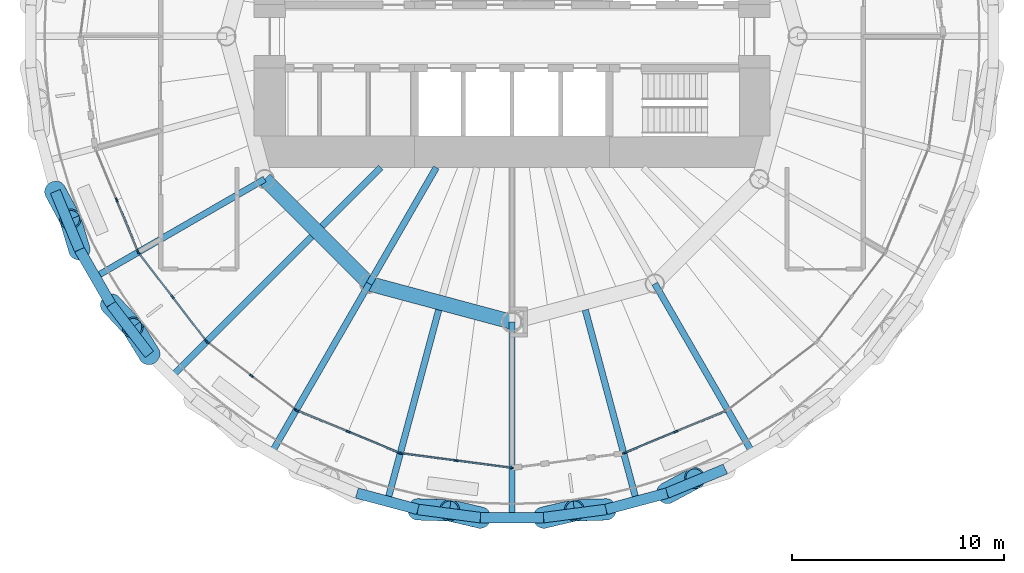
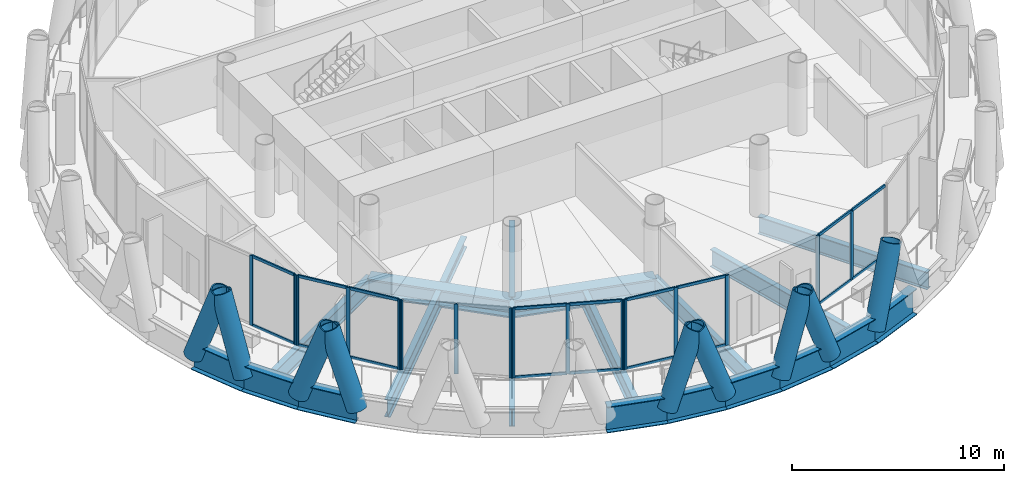
# One storey, part 2 of 14: 43 members, 20 beams, 6 elements without a shape of their own.
"""IFC4 building model written with IfcOpenShell, lengths in metres."""

from ifc_helpers import new_model, si_unit, direction, frame, origin, origin_2d, place, context, subcontext, project, spatial, rectangle, hollow_circle, i_section, extrude, material, material_profile, profile_set, type_object, element, aggregate, save


model = new_model("IFC4")

# Units and contexts
model_context = context("Model", 3, precision=1e-05, world=origin(), true_north=direction((0.0, 1.0)))
body_context = subcontext(model_context, "Body", "Model", "MODEL_VIEW")
ifc_project = project(units=[si_unit("LENGTHUNIT", "METRE"), si_unit("AREAUNIT", "SQUARE_METRE"), si_unit("VOLUMEUNIT", "CUBIC_METRE"), si_unit("PLANEANGLEUNIT", "RADIAN"), si_unit("MASSUNIT", "GRAM", prefix="KILO")], contexts=[model_context])

# Site, building, storey
site_placement = place(None, origin())
site = spatial("IfcSite", under=ifc_project, at=site_placement, CompositionType="ELEMENT")
building_placement = place(site_placement, origin())
building = spatial("IfcBuilding", under=site, at=building_placement, Name="Qaws Media Tower", CompositionType="ELEMENT")
storey_placement = place(building_placement, frame((0.0, 0.0, 215.0)))
storey = spatial("IfcBuildingStorey", under=building, at=storey_placement, Name="L49", CompositionType="ELEMENT", Elevation=215.0)

# Curtain wall, members
ifc_material_1 = material(Name="Aluminium and clear glass", Category="aluminium")
curtain_wall_type = type_object("IfcCurtainWallType", Name="Unitised curtain wall CW-C", PredefinedType="NOTDEFINED", material=ifc_material_1)
curtain_wall_1_placement = place(storey_placement, origin())
curtain_wall_1 = element("IfcCurtainWall", 1, at=curtain_wall_1_placement, inside=storey, type_object=curtain_wall_type, Name="CWC curtain wall L49-14", PredefinedType="NOTDEFINED")
ifc_material_2 = material(Name="Aluminium mullion", Category="aluminium")
ifc_material_profile_1 = material_profile(ifc_material_2, rectangle(XDim=0.080078125, YDim=0.199951171875, at=origin_2d()), Name="80x200")
ifc_profile_set_1 = profile_set([ifc_material_profile_1], Name="Aluminium mullion")
member_type_1 = type_object("IfcMemberType", Name="Curtain wall mullion 80x200", PredefinedType="MULLION", material=ifc_profile_set_1)
member_1_placement = place(storey_placement, frame((41.314208984375, 42.260009765625, 0.0), z_axis=(0.0, 0.0, 1.0), x_axis=(0.923879494026, 0.382683525276, 0.0)))
member_1 = element("IfcMember", 2, at=member_1_placement, type_object=member_type_1, Name="CWC mullion 2", PredefinedType="MULLION", context=body_context, shape_type="SweptSolid", body=[
    extrude(rectangle(XDim=0.080078125, YDim=0.199951171875, at=origin_2d()), origin(), (0.0, 0.0, 1.0), 4.0400390625),
])
member_2_placement = place(storey_placement, frame((42.31787109375, 39.8369140625, 0.0), z_axis=(0.0, 0.0, 1.0), x_axis=(0.923879494026, 0.382683525276, 0.0)))
member_2 = element("IfcMember", 3, at=member_2_placement, type_object=member_type_1, Name="CWC mullion 3", PredefinedType="MULLION", context=body_context, shape_type="SweptSolid", body=[
    extrude(rectangle(XDim=0.080078125, YDim=0.199951171875, at=origin_2d()), origin(), (0.0, 0.0, 1.0), 4.0400390625),
])

curtain_wall_2_placement = place(storey_placement, origin())
curtain_wall_2 = element("IfcCurtainWall", 4, at=curtain_wall_2_placement, inside=storey, type_object=curtain_wall_type, Name="CWC curtain wall L49-15", PredefinedType="NOTDEFINED")
member_3_placement = place(storey_placement, frame((42.357421875, 39.768310546875, 0.0), z_axis=(0.0, 0.0, 1.0), x_axis=(0.793353307917, 0.608761471199, 0.0)))
member_3 = element("IfcMember", 5, at=member_3_placement, type_object=member_type_1, Name="CWC mullion 1", PredefinedType="MULLION", context=body_context, shape_type="SweptSolid", body=[
    extrude(rectangle(XDim=0.080078125, YDim=0.199951171875, at=origin_2d()), origin(), (0.0, 0.0, 1.0), 4.0400390625),
])
member_4_placement = place(storey_placement, frame((43.9541015625, 37.6875, 0.0), z_axis=(0.0, 0.0, 1.0), x_axis=(0.793353307917, 0.608761471199, 0.0)))
member_4 = element("IfcMember", 6, at=member_4_placement, type_object=member_type_1, Name="CWC mullion 2", PredefinedType="MULLION", context=body_context, shape_type="SweptSolid", body=[
    extrude(rectangle(XDim=0.080078125, YDim=0.199951171875, at=origin_2d()), origin(), (0.0, 0.0, 1.0), 4.0400390625),
])
member_5_placement = place(storey_placement, frame((45.55078125, 35.606689453125, 0.0), z_axis=(0.0, 0.0, 1.0), x_axis=(0.793353307917, 0.608761471199, 0.0)))
member_5 = element("IfcMember", 7, at=member_5_placement, type_object=member_type_1, Name="CWC mullion 3", PredefinedType="MULLION", context=body_context, shape_type="SweptSolid", body=[
    extrude(rectangle(XDim=0.080078125, YDim=0.199951171875, at=origin_2d()), origin(), (0.0, 0.0, 1.0), 4.0400390625),
])

curtain_wall_3_placement = place(storey_placement, origin())
curtain_wall_3 = element("IfcCurtainWall", 8, at=curtain_wall_3_placement, inside=storey, type_object=curtain_wall_type, Name="CWC curtain wall L49-16", PredefinedType="NOTDEFINED")
member_6_placement = place(storey_placement, frame((45.606689453125, 35.55078125, 0.0), z_axis=(0.0, 0.0, 1.0), x_axis=(0.608761471199, 0.793353307917, 0.0)))
member_6 = element("IfcMember", 9, at=member_6_placement, type_object=member_type_1, Name="CWC mullion 1", PredefinedType="MULLION", context=body_context, shape_type="SweptSolid", body=[
    extrude(rectangle(XDim=0.080078125, YDim=0.199951171875, at=origin_2d()), origin(), (0.0, 0.0, 1.0), 4.0400390625),
])
member_7_placement = place(storey_placement, frame((47.6875, 33.9541015625, 0.0), z_axis=(0.0, 0.0, 1.0), x_axis=(0.608761471199, 0.793353307917, 0.0)))
member_7 = element("IfcMember", 10, at=member_7_placement, type_object=member_type_1, Name="CWC mullion 2", PredefinedType="MULLION", context=body_context, shape_type="SweptSolid", body=[
    extrude(rectangle(XDim=0.080078125, YDim=0.199951171875, at=origin_2d()), origin(), (0.0, 0.0, 1.0), 4.0400390625),
])
member_8_placement = place(storey_placement, frame((49.768310546875, 32.357421875, 0.0), z_axis=(0.0, 0.0, 1.0), x_axis=(0.608761471199, 0.793353307917, 0.0)))
member_8 = element("IfcMember", 11, at=member_8_placement, type_object=member_type_1, Name="CWC mullion 3", PredefinedType="MULLION", context=body_context, shape_type="SweptSolid", body=[
    extrude(rectangle(XDim=0.080078125, YDim=0.199951171875, at=origin_2d()), origin(), (0.0, 0.0, 1.0), 4.0400390625),
])
aggregate(curtain_wall_3, [member_6, member_7, member_8])

curtain_wall_4_placement = place(storey_placement, origin())
curtain_wall_4 = element("IfcCurtainWall", 12, at=curtain_wall_4_placement, inside=storey, type_object=curtain_wall_type, Name="CWC curtain wall L49-17", PredefinedType="NOTDEFINED")
member_9_placement = place(storey_placement, frame((49.8369140625, 32.31787109375, 0.0), z_axis=(0.0, 0.0, 1.0), x_axis=(0.382683525276, 0.923879494026, 0.0)))
member_9 = element("IfcMember", 13, at=member_9_placement, type_object=member_type_1, Name="CWC mullion 1", PredefinedType="MULLION", context=body_context, shape_type="SweptSolid", body=[
    extrude(rectangle(XDim=0.080078125, YDim=0.199951171875, at=origin_2d()), origin(), (0.0, 0.0, 1.0), 4.0400390625),
])
member_10_placement = place(storey_placement, frame((52.260009765625, 31.314208984375, 0.0), z_axis=(0.0, 0.0, 1.0), x_axis=(0.382683525276, 0.923879494026, 0.0)))
member_10 = element("IfcMember", 14, at=member_10_placement, type_object=member_type_1, Name="CWC mullion 2", PredefinedType="MULLION", context=body_context, shape_type="SweptSolid", body=[
    extrude(rectangle(XDim=0.080078125, YDim=0.199951171875, at=origin_2d()), origin(), (0.0, 0.0, 1.0), 4.0400390625),
])
member_11_placement = place(storey_placement, frame((54.68310546875, 30.310302734375, 0.0), z_axis=(0.0, 0.0, 1.0), x_axis=(0.382683525276, 0.923879494026, 0.0)))
member_11 = element("IfcMember", 15, at=member_11_placement, type_object=member_type_1, Name="CWC mullion 3", PredefinedType="MULLION", context=body_context, shape_type="SweptSolid", body=[
    extrude(rectangle(XDim=0.080078125, YDim=0.199951171875, at=origin_2d()), origin(), (0.0, 0.0, 1.0), 4.0400390625),
])

curtain_wall_5_placement = place(storey_placement, origin())
curtain_wall_5 = element("IfcCurtainWall", 16, at=curtain_wall_5_placement, inside=storey, type_object=curtain_wall_type, Name="CWC curtain wall L49-18", PredefinedType="NOTDEFINED")
member_12_placement = place(storey_placement, frame((54.759765625, 30.289794921875, 0.0), z_axis=(0.0, 0.0, 1.0), x_axis=(0.13052615403, 0.991444866402, 0.0)))
member_12 = element("IfcMember", 17, at=member_12_placement, type_object=member_type_1, Name="CWC mullion 1", PredefinedType="MULLION", context=body_context, shape_type="SweptSolid", body=[
    extrude(rectangle(XDim=0.080078125, YDim=0.199951171875, at=origin_2d()), origin(), (0.0, 0.0, 1.0), 4.0400390625),
])
member_13_placement = place(storey_placement, frame((57.360107421875, 29.947509765625, 0.0), z_axis=(0.0, 0.0, 1.0), x_axis=(0.13052615403, 0.991444866402, 0.0)))
member_13 = element("IfcMember", 18, at=member_13_placement, type_object=member_type_1, Name="CWC mullion 2", PredefinedType="MULLION", context=body_context, shape_type="SweptSolid", body=[
    extrude(rectangle(XDim=0.080078125, YDim=0.199951171875, at=origin_2d()), origin(), (0.0, 0.0, 1.0), 4.0400390625),
])
member_14_placement = place(storey_placement, frame((59.96044921875, 29.605224609375, 0.0), z_axis=(0.0, 0.0, 1.0), x_axis=(0.13052615403, 0.991444866402, 0.0)))
member_14 = element("IfcMember", 19, at=member_14_placement, type_object=member_type_1, Name="CWC mullion 3", PredefinedType="MULLION", context=body_context, shape_type="SweptSolid", body=[
    extrude(rectangle(XDim=0.080078125, YDim=0.199951171875, at=origin_2d()), origin(), (0.0, 0.0, 1.0), 4.0400390625),
])

curtain_wall_6_placement = place(storey_placement, origin())
curtain_wall_6 = element("IfcCurtainWall", 20, at=curtain_wall_6_placement, inside=storey, type_object=curtain_wall_type, Name="CWC curtain wall L49-20", PredefinedType="NOTDEFINED")
member_15_placement = place(storey_placement, frame((65.31689453125, 30.310302734375, 0.0), z_axis=(0.0, 0.0, 1.0), x_axis=(-0.382683525276, 0.923879494026, 0.0)))
member_15 = element("IfcMember", 21, at=member_15_placement, type_object=member_type_1, Name="CWC mullion 1", PredefinedType="MULLION", context=body_context, shape_type="SweptSolid", body=[
    extrude(rectangle(XDim=0.080078125, YDim=0.199951171875, at=origin_2d()), origin(), (0.0, 0.0, 1.0), 4.0400390625),
])
member_16_placement = place(storey_placement, frame((67.739990234375, 31.314208984375, 0.0), z_axis=(0.0, 0.0, 1.0), x_axis=(-0.382683525276, 0.923879494026, 0.0)))
member_16 = element("IfcMember", 22, at=member_16_placement, type_object=member_type_1, Name="CWC mullion 2", PredefinedType="MULLION", context=body_context, shape_type="SweptSolid", body=[
    extrude(rectangle(XDim=0.080078125, YDim=0.199951171875, at=origin_2d()), origin(), (0.0, 0.0, 1.0), 4.0400390625),
])

# Member
ifc_material_3 = material(Name="Aluminium transom", Category="aluminium")
ifc_material_profile_2 = material_profile(ifc_material_3, rectangle(XDim=0.080078125, YDim=0.159912109375, at=origin_2d()), Name="80x160")
ifc_profile_set_2 = profile_set([ifc_material_profile_2], Name="Aluminium transom")
member_type_2 = type_object("IfcMemberType", Name="Curtain wall transom 80x160", PredefinedType="USERDEFINED", material=ifc_profile_set_2)
member_17_placement = place(storey_placement, frame((41.329345703125, 42.22314453125, 0.0400390625), z_axis=(0.382719254697, -0.923864693602, 0.0), x_axis=(0.923864693602, 0.382719254697, 0.0)))
member_17 = element("IfcMember", 23, at=member_17_placement, type_object=member_type_2, Name="CWC transom 2.1", ObjectType="TRANSOM", PredefinedType="USERDEFINED", context=body_context, shape_type="SweptSolid", body=[
    extrude(rectangle(XDim=0.080078125, YDim=0.159912109375, at=origin_2d()), origin(), (0.0, 0.0, 1.0), 2.542724609375),
])

member_18_placement = place(storey_placement, frame((41.329345703125, 42.22314453125, 4.0), z_axis=(0.382719254697, -0.923864693602, 0.0), x_axis=(0.923864693602, 0.382719254697, 0.0)))
member_18 = element("IfcMember", 24, at=member_18_placement, type_object=member_type_2, Name="CWC transom 2.2", ObjectType="TRANSOM", PredefinedType="USERDEFINED", context=body_context, shape_type="SweptSolid", body=[
    extrude(rectangle(XDim=0.080078125, YDim=0.159912109375, at=origin_2d()), origin(), (0.0, 0.0, 1.0), 2.542724609375),
])

aggregate(curtain_wall_1, [member_1, member_2, member_17, member_18])

member_19_placement = place(storey_placement, frame((42.3818359375, 39.736572265625, 0.0400390625), z_axis=(0.608735871547, -0.793372950567, 0.0), x_axis=(0.793372950567, 0.608735871547, 0.0)))
member_19 = element("IfcMember", 25, at=member_19_placement, type_object=member_type_2, Name="CWC transom 1.1", ObjectType="TRANSOM", PredefinedType="USERDEFINED", context=body_context, shape_type="SweptSolid", body=[
    extrude(rectangle(XDim=0.080078125, YDim=0.159912109375, at=origin_2d()), origin(), (0.0, 0.0, 1.0), 2.542724609375),
])

member_20_placement = place(storey_placement, frame((42.3818359375, 39.736572265625, 4.0), z_axis=(0.608735871547, -0.793372950567, 0.0), x_axis=(0.793372950567, 0.608735871547, 0.0)))
member_20 = element("IfcMember", 26, at=member_20_placement, type_object=member_type_2, Name="CWC transom 1.2", ObjectType="TRANSOM", PredefinedType="USERDEFINED", context=body_context, shape_type="SweptSolid", body=[
    extrude(rectangle(XDim=0.080078125, YDim=0.159912109375, at=origin_2d()), origin(), (0.0, 0.0, 1.0), 2.542724609375),
])

member_21_placement = place(storey_placement, frame((43.978515625, 37.65576171875, 0.0400390625), z_axis=(0.608735871547, -0.793372950567, 0.0), x_axis=(0.793372950567, 0.608735871547, 0.0)))
member_21 = element("IfcMember", 27, at=member_21_placement, type_object=member_type_2, Name="CWC transom 2.1", ObjectType="TRANSOM", PredefinedType="USERDEFINED", context=body_context, shape_type="SweptSolid", body=[
    extrude(rectangle(XDim=0.080078125, YDim=0.159912109375, at=origin_2d()), origin(), (0.0, 0.0, 1.0), 2.542724609375),
])

member_22_placement = place(storey_placement, frame((43.978515625, 37.65576171875, 4.0), z_axis=(0.608735871547, -0.793372950567, 0.0), x_axis=(0.793372950567, 0.608735871547, 0.0)))
member_22 = element("IfcMember", 28, at=member_22_placement, type_object=member_type_2, Name="CWC transom 2.2", ObjectType="TRANSOM", PredefinedType="USERDEFINED", context=body_context, shape_type="SweptSolid", body=[
    extrude(rectangle(XDim=0.080078125, YDim=0.159912109375, at=origin_2d()), origin(), (0.0, 0.0, 1.0), 2.542724609375),
])

aggregate(curtain_wall_2, [member_3, member_4, member_5, member_19, member_20, member_21, member_22])

member_23_placement = place(storey_placement, frame((49.8740234375, 32.302490234375, 0.0400390625), z_axis=(0.923864693602, -0.382719254697, 0.0), x_axis=(0.382719254697, 0.923864693602, 0.0)))
member_23 = element("IfcMember", 29, at=member_23_placement, type_object=member_type_2, Name="CWC transom 1.1", ObjectType="TRANSOM", PredefinedType="USERDEFINED", context=body_context, shape_type="SweptSolid", body=[
    extrude(rectangle(XDim=0.080078125, YDim=0.159912109375, at=origin_2d()), origin(), (0.0, 0.0, 1.0), 2.542724609375),
])

member_24_placement = place(storey_placement, frame((49.8740234375, 32.302490234375, 4.0), z_axis=(0.923864693602, -0.382719254697, 0.0), x_axis=(0.382719254697, 0.923864693602, 0.0)))
member_24 = element("IfcMember", 30, at=member_24_placement, type_object=member_type_2, Name="CWC transom 1.2", ObjectType="TRANSOM", PredefinedType="USERDEFINED", context=body_context, shape_type="SweptSolid", body=[
    extrude(rectangle(XDim=0.080078125, YDim=0.159912109375, at=origin_2d()), origin(), (0.0, 0.0, 1.0), 2.542724609375),
])

member_25_placement = place(storey_placement, frame((52.297119140625, 31.298828125, 0.0400390625), z_axis=(0.923864693602, -0.382719254697, 0.0), x_axis=(0.382719254697, 0.923864693602, 0.0)))
member_25 = element("IfcMember", 31, at=member_25_placement, type_object=member_type_2, Name="CWC transom 2.1", ObjectType="TRANSOM", PredefinedType="USERDEFINED", context=body_context, shape_type="SweptSolid", body=[
    extrude(rectangle(XDim=0.080078125, YDim=0.159912109375, at=origin_2d()), origin(), (0.0, 0.0, 1.0), 2.542724609375),
])

member_26_placement = place(storey_placement, frame((52.297119140625, 31.298828125, 4.0), z_axis=(0.923864693602, -0.382719254697, 0.0), x_axis=(0.382719254697, 0.923864693602, 0.0)))
member_26 = element("IfcMember", 32, at=member_26_placement, type_object=member_type_2, Name="CWC transom 2.2", ObjectType="TRANSOM", PredefinedType="USERDEFINED", context=body_context, shape_type="SweptSolid", body=[
    extrude(rectangle(XDim=0.080078125, YDim=0.159912109375, at=origin_2d()), origin(), (0.0, 0.0, 1.0), 2.542724609375),
])

aggregate(curtain_wall_4, [member_9, member_10, member_11, member_23, member_24, member_25, member_26])

member_27_placement = place(storey_placement, frame((54.79931640625, 30.28466796875, 0.0400390625), z_axis=(0.991450373449, -0.130484317017, 0.0), x_axis=(0.130484317017, 0.991450373449, 0.0)))
member_27 = element("IfcMember", 33, at=member_27_placement, type_object=member_type_2, Name="CWC transom 1.1", ObjectType="TRANSOM", PredefinedType="USERDEFINED", context=body_context, shape_type="SweptSolid", body=[
    extrude(rectangle(XDim=0.080078125, YDim=0.159912109375, at=origin_2d()), origin(), (0.0, 0.0, 1.0), 2.542724609375),
])

member_28_placement = place(storey_placement, frame((54.79931640625, 30.28466796875, 4.0), z_axis=(0.991450373449, -0.130484317017, 0.0), x_axis=(0.130484317017, 0.991450373449, 0.0)))
member_28 = element("IfcMember", 34, at=member_28_placement, type_object=member_type_2, Name="CWC transom 1.2", ObjectType="TRANSOM", PredefinedType="USERDEFINED", context=body_context, shape_type="SweptSolid", body=[
    extrude(rectangle(XDim=0.080078125, YDim=0.159912109375, at=origin_2d()), origin(), (0.0, 0.0, 1.0), 2.542724609375),
])

member_29_placement = place(storey_placement, frame((57.399658203125, 29.9423828125, 0.0400390625), z_axis=(0.991437947781, -0.130578695427, 0.0), x_axis=(0.130578695427, 0.991437947781, 0.0)))
member_29 = element("IfcMember", 35, at=member_29_placement, type_object=member_type_2, Name="CWC transom 2.1", ObjectType="TRANSOM", PredefinedType="USERDEFINED", context=body_context, shape_type="SweptSolid", body=[
    extrude(rectangle(XDim=0.080078125, YDim=0.159912109375, at=origin_2d()), origin(), (0.0, 0.0, 1.0), 2.542724609375),
])

member_30_placement = place(storey_placement, frame((57.399658203125, 29.9423828125, 4.0), z_axis=(0.991437947781, -0.130578695427, 0.0), x_axis=(0.130578695427, 0.991437947781, 0.0)))
member_30 = element("IfcMember", 36, at=member_30_placement, type_object=member_type_2, Name="CWC transom 2.2", ObjectType="TRANSOM", PredefinedType="USERDEFINED", context=body_context, shape_type="SweptSolid", body=[
    extrude(rectangle(XDim=0.080078125, YDim=0.159912109375, at=origin_2d()), origin(), (0.0, 0.0, 1.0), 2.542724609375),
])

aggregate(curtain_wall_5, [member_12, member_13, member_14, member_27, member_28, member_29, member_30])

member_31_placement = place(storey_placement, frame((65.353759765625, 30.32568359375, 0.0400390625), z_axis=(0.923864693602, 0.382719254697, 0.0), x_axis=(-0.382719254697, 0.923864693602, 0.0)))
member_31 = element("IfcMember", 37, at=member_31_placement, type_object=member_type_2, Name="CWC transom 1.1", ObjectType="TRANSOM", PredefinedType="USERDEFINED", context=body_context, shape_type="SweptSolid", body=[
    extrude(rectangle(XDim=0.080078125, YDim=0.159912109375, at=origin_2d()), origin(), (0.0, 0.0, 1.0), 2.542724609375),
])

member_32_placement = place(storey_placement, frame((65.353759765625, 30.32568359375, 4.0), z_axis=(0.923864693602, 0.382719254697, 0.0), x_axis=(-0.382719254697, 0.923864693602, 0.0)))
member_32 = element("IfcMember", 38, at=member_32_placement, type_object=member_type_2, Name="CWC transom 1.2", ObjectType="TRANSOM", PredefinedType="USERDEFINED", context=body_context, shape_type="SweptSolid", body=[
    extrude(rectangle(XDim=0.080078125, YDim=0.159912109375, at=origin_2d()), origin(), (0.0, 0.0, 1.0), 2.542724609375),
])

member_33_placement = place(storey_placement, frame((67.77685546875, 31.329345703125, 0.0400390625), z_axis=(0.923864693602, 0.382719254697, 0.0), x_axis=(-0.382719254697, 0.923864693602, 0.0)))
member_33 = element("IfcMember", 39, at=member_33_placement, type_object=member_type_2, Name="CWC transom 2.1", ObjectType="TRANSOM", PredefinedType="USERDEFINED", context=body_context, shape_type="SweptSolid", body=[
    extrude(rectangle(XDim=0.080078125, YDim=0.159912109375, at=origin_2d()), origin(), (0.0, 0.0, 1.0), 2.542724609375),
])

member_34_placement = place(storey_placement, frame((67.77685546875, 31.329345703125, 4.0), z_axis=(0.923864693602, 0.382719254697, 0.0), x_axis=(-0.382719254697, 0.923864693602, 0.0)))
member_34 = element("IfcMember", 40, at=member_34_placement, type_object=member_type_2, Name="CWC transom 2.2", ObjectType="TRANSOM", PredefinedType="USERDEFINED", context=body_context, shape_type="SweptSolid", body=[
    extrude(rectangle(XDim=0.080078125, YDim=0.159912109375, at=origin_2d()), origin(), (0.0, 0.0, 1.0), 2.542724609375),
])

aggregate(curtain_wall_6, [member_15, member_16, member_31, member_32, member_33, member_34])

# Members
ifc_material_4 = material(Name="Steel S460", Category="steel")
ifc_material_profile_3 = material_profile(ifc_material_4, hollow_circle(Radius=0.508056640625, WallThickness=0.070068359375, at=origin_2d()), Name="CHS 1016x70")
ifc_profile_set_3 = profile_set([ifc_material_profile_3], Name="Steel S460")
member_type_3 = type_object("IfcMemberType", Name="Diagrid member CHS 1016x70", PredefinedType="USERDEFINED", material=ifc_profile_set_3)
for number, where, z_axis, x_axis, name in (
    (41, (38.409912109375, 42.671142578125, -0.909912109375), (0.159314917038, -0.295964412888, 0.941819421924), (0.880533853634, 0.473983261945, 0.0), "DG3 diagrid L49 A14"),
    (42, (41.04248046875, 37.3330078125, -0.909912109375), (0.230485450042, -0.244664958727, 0.941815011183), (0.727884328257, 0.685699937785, 0.0), "DG3 diagrid L49 A15"),
    (43, (39.55126953125, 39.915771484375, -0.909912109375), (-0.096629630188, 0.321916275076, 0.941824095259), (-0.957781442004, -0.287497320601, 0.0), "DG3 diagrid L49 B15"),
    (44, (42.858154296875, 34.966796875, -0.909912109375), (-0.176669755736, 0.285945501769, 0.941818967438), (-0.850723025077, -0.525614245055, 0.0), "DG3 diagrid L49 B16"),
):
    element("IfcMember", number, at=place(storey_placement, frame(where, z_axis=z_axis, x_axis=x_axis)), inside=storey, type_object=member_type_3, Name=name, ObjectType="DIAGRID", PredefinedType="USERDEFINED", context=body_context, shape_type="SweptSolid", body=[
        extrude(hollow_circle(Radius=0.508056640625, WallThickness=0.070068359375, at=origin_2d()), origin(), (0.0, 0.0, 1.0), 4.45947265625),
    ])
member_35_placement = place(storey_placement, frame((55.552001953125, 27.63818359375, -0.909912109375), z_axis=(0.335934332226, -0.010073650119, 0.941831538018), x_axis=(0.02997348887, 0.999550694045, 0.0)))
element("IfcMember", 45, at=member_35_placement, inside=storey, type_object=member_type_3, Name="DG3 diagrid L49 A18", ObjectType="DIAGRID", PredefinedType="USERDEFINED", context=body_context, shape_type="SweptSolid", body=[
    extrude(hollow_circle(Radius=0.508056640625, WallThickness=0.070068359375, at=origin_2d()), origin(), (0.0, 0.0, 1.0), 4.459228515625),
])
for number, where, z_axis, x_axis, name in (
    (46, (61.4912109375, 27.248779296875, -0.909912109375), (0.327116361591, 0.077248734093, 0.941821383841), (-0.229829111483, 0.973231000079, 0.0), "DG3 diagrid L49 A19"),
    (47, (58.5087890625, 27.248779296875, -0.909912109375), (-0.327116361591, 0.077248734093, 0.941821383841), (-0.229829111483, -0.973231000079, 0.0), "DG3 diagrid L49 B19"),
    (48, (67.328857421875, 28.409912109375, -0.909912109375), (0.295964412888, 0.159314917038, 0.941819421924), (-0.473983261945, 0.880533853634, 0.0), "DG3 diagrid L49 A20"),
):
    element("IfcMember", number, at=place(storey_placement, frame(where, z_axis=z_axis, x_axis=x_axis)), inside=storey, type_object=member_type_3, Name=name, ObjectType="DIAGRID", PredefinedType="USERDEFINED", context=body_context, shape_type="SweptSolid", body=[
        extrude(hollow_circle(Radius=0.508056640625, WallThickness=0.070068359375, at=origin_2d()), origin(), (0.0, 0.0, 1.0), 4.45947265625),
    ])
member_36_placement = place(storey_placement, frame((64.447998046875, 27.63818359375, -0.909912109375), z_axis=(-0.335934332226, -0.010073650119, 0.941831538018), x_axis=(0.02997348887, -0.999550694045, 0.0)))
element("IfcMember", 49, at=member_36_placement, inside=storey, type_object=member_type_3, Name="DG3 diagrid L49 B20", ObjectType="DIAGRID", PredefinedType="USERDEFINED", context=body_context, shape_type="SweptSolid", body=[
    extrude(hollow_circle(Radius=0.508056640625, WallThickness=0.070068359375, at=origin_2d()), origin(), (0.0, 0.0, 1.0), 4.459228515625),
])

# Beams
ifc_material_5 = material(Name="Steel S460", Category="steel")
ifc_material_profile_4 = material_profile(ifc_material_5, i_section(OverallWidth=0.5, OverallDepth=1.5, WebThickness=0.02001953125, FlangeThickness=0.0400390625, at=origin_2d()), Name="PG 1500x500")
ifc_profile_set_4 = profile_set([ifc_material_profile_4], Name="Steel S460")
beam_type_1 = type_object("IfcBeamType", Name="Edge ring beam PG 1500x500", PredefinedType="BEAM", material=ifc_profile_set_4)
for number, where, z_axis, x_axis, name in (
    (50, (38.409912109375, 42.671142578125, -0.909912109375), (0.382696410016, -0.923874156886, 0.0), (0.923874156886, 0.382696410016, 0.0), "RB4 edge ring beam L49-27"),
    (51, (39.55126953125, 39.915771484375, -0.909912109375), (0.500012985438, -0.866017906508, 0.0), (0.866017906508, 0.500012985438, 0.0), "RB4 edge ring beam L49-28"),
):
    element("IfcBeam", number, at=place(storey_placement, frame(where, z_axis=z_axis, x_axis=x_axis)), inside=storey, type_object=beam_type_1, Name=name, PredefinedType="BEAM", context=body_context, shape_type="SweptSolid", body=[
        extrude(i_section(OverallWidth=0.5, OverallDepth=1.5, WebThickness=0.02001953125, FlangeThickness=0.0400390625, at=origin_2d()), origin(), (0.0, 0.0, 1.0), 2.982421875),
    ])
beam_1_placement = place(storey_placement, frame((41.04248046875, 37.3330078125, -0.909912109375), z_axis=(0.608764872287, -0.793350698159, 0.0), x_axis=(0.793350698159, 0.608764872287, 0.0)))
element("IfcBeam", 52, at=beam_1_placement, inside=storey, type_object=beam_type_1, Name="RB4 edge ring beam L49-29", PredefinedType="BEAM", context=body_context, shape_type="SweptSolid", body=[
    extrude(i_section(OverallWidth=0.5, OverallDepth=1.5, WebThickness=0.02001953125, FlangeThickness=0.0400390625, at=origin_2d()), origin(), (0.0, 0.0, 1.0), 2.982666015625),
])
for number, where, z_axis, x_axis, name in (
    (53, (52.671142578125, 28.409912109375, -0.909912109375), (0.965942205889, -0.258757907866, 0.0), (0.258757907866, 0.965942205889, 0.0), "RB4 edge ring beam L49-34"),
    (54, (55.552001953125, 27.63818359375, -0.909912109375), (0.991438963829, -0.130570980704, 0.0), (0.130570980704, 0.991438963829, 0.0), "RB4 edge ring beam L49-35"),
    (55, (58.5087890625, 27.248779296875, -0.909912109375), (1.0, 0.0, 0.0), (0.0, 1.0, 0.0), "RB4 edge ring beam L49-36"),
    (56, (61.4912109375, 27.248779296875, -0.909912109375), (0.991438963829, 0.130570980704, 0.0), (-0.130570980704, 0.991438963829, 0.0), "RB4 edge ring beam L49-37"),
    (57, (64.447998046875, 27.63818359375, -0.909912109375), (0.965942205889, 0.258757907866, 0.0), (-0.258757907866, 0.965942205889, 0.0), "RB4 edge ring beam L49-38"),
    (58, (67.328857421875, 28.409912109375, -0.909912109375), (0.923874156886, 0.382696410016, 0.0), (-0.382696410016, 0.923874156886, 0.0), "RB4 edge ring beam L49-39"),
):
    element("IfcBeam", number, at=place(storey_placement, frame(where, z_axis=z_axis, x_axis=x_axis)), inside=storey, type_object=beam_type_1, Name=name, PredefinedType="BEAM", context=body_context, shape_type="SweptSolid", body=[
        extrude(i_section(OverallWidth=0.5, OverallDepth=1.5, WebThickness=0.02001953125, FlangeThickness=0.0400390625, at=origin_2d()), origin(), (0.0, 0.0, 1.0), 2.982421875),
    ])
ifc_material_6 = material(Name="Steel S460", Category="steel")
ifc_material_profile_5 = material_profile(ifc_material_6, i_section(OverallWidth=0.699951171875, OverallDepth=1.0, WebThickness=0.034912109375, FlangeThickness=0.090087890625, at=origin_2d()), Name="PG 1000x700")
ifc_profile_set_5 = profile_set([ifc_material_profile_5], Name="Steel S460")
beam_type_2 = type_object("IfcBeamType", Name="Inner ring girder PG 1000x700", PredefinedType="BEAM", material=ifc_profile_set_5)
beam_2_placement = place(storey_placement, frame((48.30859375, 43.25, -0.659912109375), z_axis=(0.707106781187, -0.707106781187, 0.0), x_axis=(0.707106781187, 0.707106781187, 0.0)))
element("IfcBeam", 59, at=beam_2_placement, inside=storey, type_object=beam_type_2, Name="B3 inner ring beam L49 I08-I09", PredefinedType="BEAM", context=body_context, shape_type="SweptSolid", body=[
    extrude(i_section(OverallWidth=0.699951171875, OverallDepth=1.0, WebThickness=0.034912109375, FlangeThickness=0.090087890625, at=origin_2d()), origin(), (0.0, 0.0, 1.0), 6.98828125),
])
beam_3_placement = place(storey_placement, frame((53.25, 38.30859375, -0.659912109375), z_axis=(0.965928090778, -0.258810593767, 0.0), x_axis=(0.258810593767, 0.965928090778, 0.0)))
element("IfcBeam", 60, at=beam_3_placement, inside=storey, type_object=beam_type_2, Name="B3 inner ring beam L49 I09-I10", PredefinedType="BEAM", context=body_context, shape_type="SweptSolid", body=[
    extrude(i_section(OverallWidth=0.699951171875, OverallDepth=1.0, WebThickness=0.034912109375, FlangeThickness=0.090087890625, at=origin_2d()), origin(), (0.0, 0.0, 1.0), 6.988037109375),
])
ifc_material_7 = material(Name="Steel S355", Category="steel")
ifc_material_profile_6 = material_profile(ifc_material_7, i_section(OverallWidth=0.302001953125, OverallDepth=1.008056640625, WebThickness=0.02099609375, FlangeThickness=0.0400390625, FilletRadius=0.030029296875, at=origin_2d()), Name="HE 1000 M")
ifc_profile_set_6 = profile_set([ifc_material_profile_6], Name="Steel S355")
beam_type_3 = type_object("IfcBeamType", Name="Radial beam HE 1000 M", PredefinedType="BEAM", material=ifc_profile_set_6)
beam_4_placement = place(storey_placement, frame((48.30859375, 43.25, -0.6640625), z_axis=(-0.86602913405, -0.499993538935, 0.0), x_axis=(0.499993538935, -0.86602913405, 0.0)))
element("IfcBeam", 61, at=beam_4_placement, inside=storey, type_object=beam_type_3, Name="B1 radial beam L49 15", PredefinedType="BEAM", context=body_context, shape_type="SweptSolid", body=[
    extrude(i_section(OverallWidth=0.302001953125, OverallDepth=1.008056640625, WebThickness=0.02099609375, FlangeThickness=0.0400390625, FilletRadius=0.030029296875, at=origin_2d()), origin(), (0.0, 0.0, 1.0), 9.2509765625),
])
beam_5_placement = place(storey_placement, frame((50.53173828125, 40.53173828125, -0.6640625), z_axis=(-0.707106781187, -0.707106781187, 0.0), x_axis=(0.707106781187, -0.707106781187, 0.0)))
element("IfcBeam", 62, at=beam_5_placement, inside=storey, type_object=beam_type_3, Name="B1 radial beam L49 16", PredefinedType="BEAM", context=body_context, shape_type="SweptSolid", body=[
    extrude(i_section(OverallWidth=0.302001953125, OverallDepth=1.008056640625, WebThickness=0.02099609375, FlangeThickness=0.0400390625, FilletRadius=0.030029296875, at=origin_2d()), origin(), (0.0, 0.0, 1.0), 9.36083984375),
])
beam_6_placement = place(storey_placement, frame((53.25, 38.30859375, -0.6640625), z_axis=(-0.499993538935, -0.86602913405, 0.0), x_axis=(0.86602913405, -0.499993538935, 0.0)))
element("IfcBeam", 63, at=beam_6_placement, inside=storey, type_object=beam_type_3, Name="B1 radial beam L49 17", PredefinedType="BEAM", context=body_context, shape_type="SweptSolid", body=[
    extrude(i_section(OverallWidth=0.302001953125, OverallDepth=1.008056640625, WebThickness=0.02099609375, FlangeThickness=0.0400390625, FilletRadius=0.030029296875, at=origin_2d()), origin(), (0.0, 0.0, 1.0), 9.2509765625),
])
beam_7_placement = place(storey_placement, frame((56.534423828125, 37.066162109375, -0.6640625), z_axis=(-0.258818211939, -0.965926049534, 0.0), x_axis=(0.965926049534, -0.258818211939, 0.0)))
element("IfcBeam", 64, at=beam_7_placement, inside=storey, type_object=beam_type_3, Name="B1 radial beam L49 18", PredefinedType="BEAM", context=body_context, shape_type="SweptSolid", body=[
    extrude(i_section(OverallWidth=0.302001953125, OverallDepth=1.008056640625, WebThickness=0.02099609375, FlangeThickness=0.0400390625, FilletRadius=0.030029296875, at=origin_2d()), origin(), (0.0, 0.0, 1.0), 9.361328125),
])
beam_8_placement = place(storey_placement, frame((60.0, 36.5, -0.6640625), z_axis=(0.0, -1.0, 0.0), x_axis=(1.0, 0.0, 0.0)))
element("IfcBeam", 65, at=beam_8_placement, inside=storey, type_object=beam_type_3, Name="B1 radial beam L49 19", PredefinedType="BEAM", context=body_context, shape_type="SweptSolid", body=[
    extrude(i_section(OverallWidth=0.302001953125, OverallDepth=1.008056640625, WebThickness=0.02099609375, FlangeThickness=0.0400390625, FilletRadius=0.030029296875, at=origin_2d()), origin(), (0.0, 0.0, 1.0), 9.251220703125),
])
beam_9_placement = place(storey_placement, frame((63.465576171875, 37.066162109375, -0.6640625), z_axis=(0.258818211939, -0.965926049534, 0.0), x_axis=(0.965926049534, 0.258818211939, 0.0)))
element("IfcBeam", 66, at=beam_9_placement, inside=storey, type_object=beam_type_3, Name="B1 radial beam L49 20", PredefinedType="BEAM", context=body_context, shape_type="SweptSolid", body=[
    extrude(i_section(OverallWidth=0.302001953125, OverallDepth=1.008056640625, WebThickness=0.02099609375, FlangeThickness=0.0400390625, FilletRadius=0.030029296875, at=origin_2d()), origin(), (0.0, 0.0, 1.0), 9.361328125),
])
beam_10_placement = place(storey_placement, frame((66.75, 38.30859375, -0.6640625), z_axis=(0.499993538935, -0.86602913405, 0.0), x_axis=(0.86602913405, 0.499993538935, 0.0)))
element("IfcBeam", 67, at=beam_10_placement, inside=storey, type_object=beam_type_3, Name="B1 radial beam L49 21", PredefinedType="BEAM", context=body_context, shape_type="SweptSolid", body=[
    extrude(i_section(OverallWidth=0.302001953125, OverallDepth=1.008056640625, WebThickness=0.02099609375, FlangeThickness=0.0400390625, FilletRadius=0.030029296875, at=origin_2d()), origin(), (0.0, 0.0, 1.0), 9.2509765625),
])
ifc_material_8 = material(Name="Steel S355", Category="steel")
ifc_material_profile_7 = material_profile(ifc_material_8, i_section(OverallWidth=0.304931640625, OverallDepth=0.6201171875, WebThickness=0.02099609375, FlangeThickness=0.0400390625, FilletRadius=0.027099609375, at=origin_2d()), Name="HE 600 M")
ifc_profile_set_7 = profile_set([ifc_material_profile_7], Name="Steel S355")
beam_type_4 = type_object("IfcBeamType", Name="Radial beam HE 600 M, core side", PredefinedType="BEAM", material=ifc_profile_set_7)
beam_11_placement = place(storey_placement, frame((53.800048828125, 43.800048828125, -0.469970703125), z_axis=(-0.707106781187, -0.707106781187, 0.0), x_axis=(0.707106781187, -0.707106781187, 0.0)))
element("IfcBeam", 68, at=beam_11_placement, inside=storey, type_object=beam_type_4, Name="B2 radial beam L49 16", PredefinedType="BEAM", context=body_context, shape_type="SweptSolid", body=[
    extrude(i_section(OverallWidth=0.304931640625, OverallDepth=0.6201171875, WebThickness=0.02099609375, FlangeThickness=0.0400390625, FilletRadius=0.027099609375, at=origin_2d()), origin(), (0.0, 0.0, 1.0), 3.921875),
])
beam_12_placement = place(storey_placement, frame((56.42041015625, 43.800048828125, -0.469970703125), z_axis=(-0.499990193304, -0.866031065609, 0.0), x_axis=(0.866031065609, -0.499990193304, 0.0)))
element("IfcBeam", 69, at=beam_12_placement, inside=storey, type_object=beam_type_4, Name="B2 radial beam L49 17", PredefinedType="BEAM", context=body_context, shape_type="SweptSolid", body=[
    extrude(i_section(OverallWidth=0.304931640625, OverallDepth=0.6201171875, WebThickness=0.02099609375, FlangeThickness=0.0400390625, FilletRadius=0.027099609375, at=origin_2d()), origin(), (0.0, 0.0, 1.0), 6.341064453125),
])

save(model, "model.ifc")
